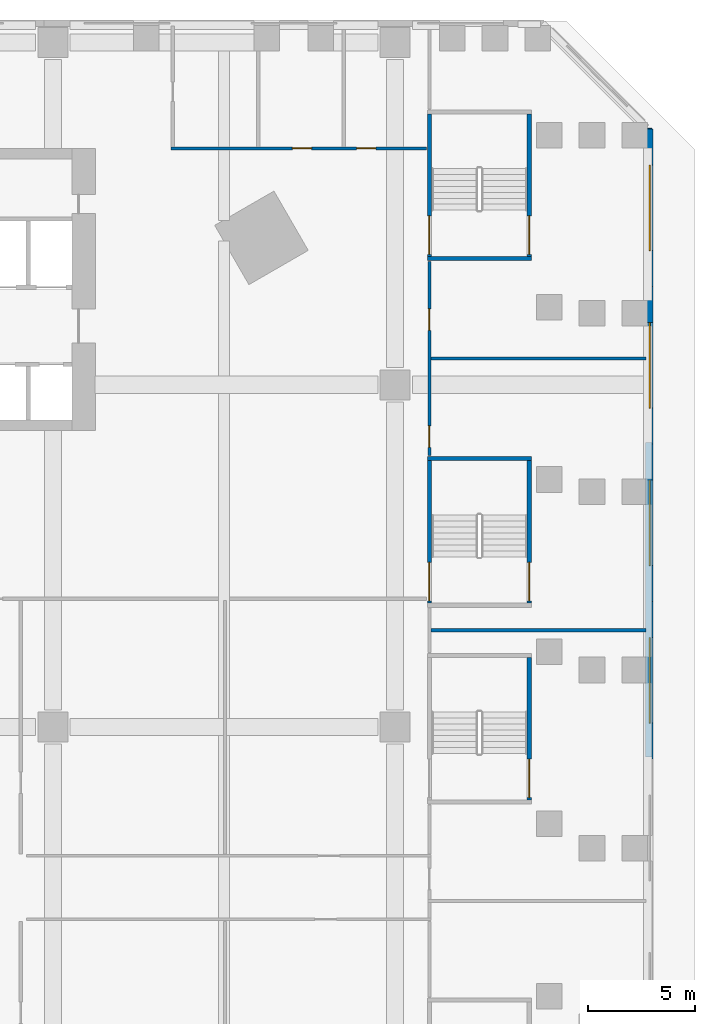
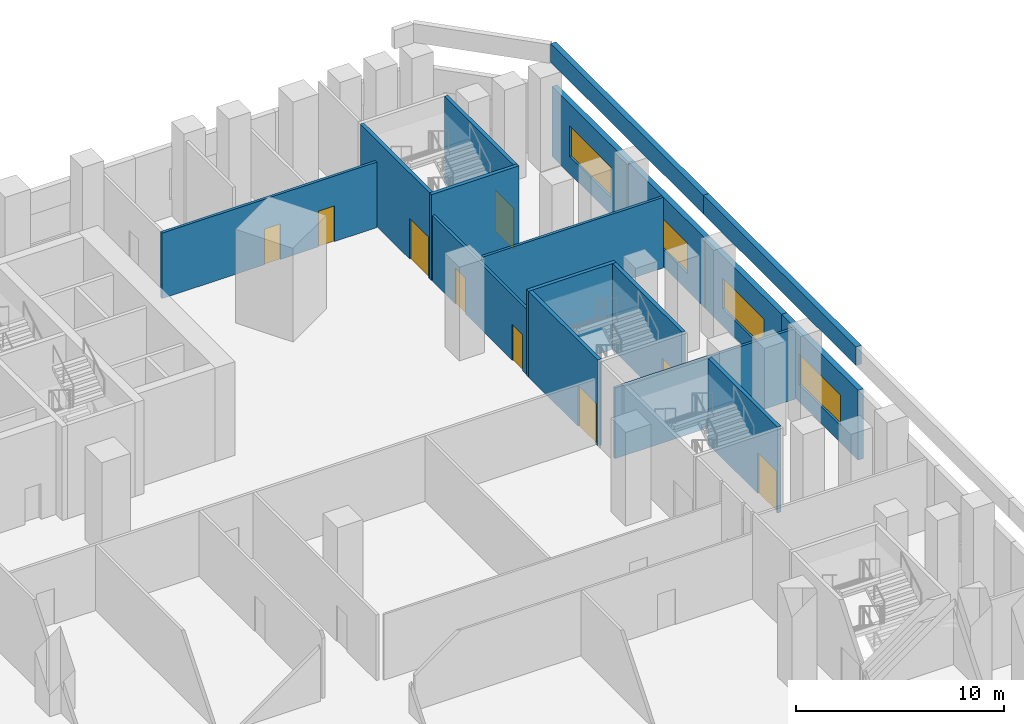
# One storey, part 10 of 22: 17 walls, 9 doors, 4 windows, 13 openings.
"""IFC4 building model written with IfcOpenShell, lengths in metres."""

from ifc_helpers import new_model, si_unit, direction, frame, frame_2d, origin, place, context, subcontext, project, spatial, rectangle, extrude, material, layer, layer_set, type_object, element, fill, save


model = new_model("IFC4")

# Units and contexts
model_context = context("Model", 3, precision=1e-05, world=origin(), true_north=direction((0.0, 1.0)))
body_context = subcontext(model_context, "Body", "Model", "MODEL_VIEW")
ifc_project = project(units=[si_unit("LENGTHUNIT", "METRE"), si_unit("AREAUNIT", "SQUARE_METRE"), si_unit("VOLUMEUNIT", "CUBIC_METRE"), si_unit("PLANEANGLEUNIT", "RADIAN"), si_unit("MASSUNIT", "GRAM", prefix="KILO")], contexts=[model_context])

# Site, building, storey
site_placement = place(None, origin())
site = spatial("IfcSite", under=ifc_project, at=site_placement, CompositionType="ELEMENT")
building_placement = place(site_placement, origin())
building = spatial("IfcBuilding", under=site, at=building_placement, Name="Calabash Gate Tower", CompositionType="ELEMENT")
storey_placement = place(building_placement, frame((0.0, 0.0, 29.0)))
storey = spatial("IfcBuildingStorey", under=building, at=storey_placement, Name="L03", CompositionType="ELEMENT", Elevation=29.0)

# Wall
ifc_material_1 = material(Name="Gypsum board on steel studs, mineral wool", Category="steel")
ifc_layer_1 = layer(ifc_material_1, 0.14990234375)
ifc_layer_set_1 = layer_set([ifc_layer_1], Name="Partition 150 gypsum board")
wall_type_1 = type_object("IfcWallType", Name="Partition 150 gypsum board", PredefinedType="PARTITIONING", material=ifc_layer_set_1)
wall_1_placement = place(storey_placement, frame((33.675048828125, -3.47509765625, 0.0), z_axis=(0.0, 0.0, 1.0), x_axis=(1.0, 0.0, 0.0)))
element("IfcWall", 1, at=wall_1_placement, inside=storey, type_object=wall_type_1, Name="Partition", PredefinedType="PARTITIONING", context=body_context, shape_type="SweptSolid", body=[
    extrude(rectangle(XDim=10.044921875, YDim=0.14990234375, at=frame_2d((5.0224609375, 0.0))), origin(), (0.0, 0.0, 1.0), 4.14990234375),
])

# Wall, openings, doors
wall_2_placement = place(storey_placement, frame((33.60009765625, 4.68994140625, 0.0), z_axis=(0.0, 0.0, 1.0), x_axis=(0.0, 1.0, 0.0)))
wall_2 = element("IfcWall", 2, at=wall_2_placement, inside=storey, type_object=wall_type_1, Name="Partition", PredefinedType="PARTITIONING", context=body_context, shape_type="SweptSolid", body=[
    extrude(rectangle(XDim=9.070068359375, YDim=0.14990234375, at=frame_2d((4.53515625, 0.0))), origin(), (0.0, 0.0, 1.0), 3.85009765625),
])
opening_1_placement = place(wall_2_placement, frame((0.385009765625, 0.0, 0.0)))
opening_1 = element("IfcOpeningElement", 3, at=opening_1_placement, cuts=wall_2, Name="Opening L03-074", PredefinedType="OPENING", context=body_context, shape_type="SweptSolid", body=[
    extrude(rectangle(XDim=1.0, YDim=2.10009765625, at=frame_2d((0.5, 1.050048828125))), frame((0.0, 0.0849609375, 0.0), z_axis=(0.0, -1.0, 0.0), x_axis=(1.0, 0.0, 0.0)), (0.0, 0.0, 1.0), 0.169921875),
])
opening_2_placement = place(wall_2_placement, frame((5.85888671875, 0.0, 0.0)))
opening_2 = element("IfcOpeningElement", 4, at=opening_2_placement, cuts=wall_2, Name="Opening L03-075", PredefinedType="OPENING", context=body_context, shape_type="SweptSolid", body=[
    extrude(rectangle(XDim=1.0, YDim=2.10009765625, at=frame_2d((0.5, 1.050048828125))), frame((0.0, 0.0849609375, 0.0), z_axis=(0.0, -1.0, 0.0), x_axis=(1.0, 0.0, 0.0)), (0.0, 0.0, 1.0), 0.169921875),
])
ifc_material_2 = material(Name="Steel fire door set with fire-resisting glazing", Category="steel")
door_type_1 = type_object("IfcDoorType", Name="Fire door D11 1000x2100 FD60", OperationType="NOTDEFINED", PredefinedType="DOOR", material=ifc_material_2)
door_1_placement = place(opening_1_placement, origin())
door_1 = element("IfcDoor", 5, at=door_1_placement, inside=storey, type_object=door_type_1, Name="Meeting Room 326 door", OperationType="SINGLE_SWING_LEFT", OverallHeight=2.10009765625, OverallWidth=1.0, PredefinedType="DOOR", context=body_context, shape_type="SweptSolid", body=[
    extrude(rectangle(XDim=1.0, YDim=2.10009765625, at=frame_2d((0.5, 1.050048828125))), frame((0.0, 0.02490234375, 0.0), z_axis=(0.0, -1.0, 0.0), x_axis=(1.0, 0.0, 0.0)), (0.0, 0.0, 1.0), 0.050048828125),
])
fill(opening_1, door_1)
door_2_placement = place(opening_2_placement, origin())
door_2 = element("IfcDoor", 6, at=door_2_placement, inside=storey, type_object=door_type_1, Name="Meeting Room 327 door", OperationType="SINGLE_SWING_RIGHT", OverallHeight=2.10009765625, OverallWidth=1.0, PredefinedType="DOOR", context=body_context, shape_type="SweptSolid", body=[
    extrude(rectangle(XDim=1.0, YDim=2.10009765625, at=frame_2d((0.5, 1.050048828125))), frame((0.0, 0.02490234375, 0.0), z_axis=(0.0, -1.0, 0.0), x_axis=(1.0, 0.0, 0.0)), (0.0, 0.0, 1.0), 0.050048828125),
])
fill(opening_2, door_2)

# Wall
wall_3_placement = place(storey_placement, frame((33.675048828125, 9.22509765625, 0.0), z_axis=(0.0, 0.0, 1.0), x_axis=(1.0, 0.0, 0.0)))
element("IfcWall", 7, at=wall_3_placement, inside=storey, type_object=wall_type_1, Name="Partition", PredefinedType="PARTITIONING", context=body_context, shape_type="SweptSolid", body=[
    extrude(rectangle(XDim=10.044921875, YDim=0.14990234375, at=frame_2d((5.0224609375, 0.0))), origin(), (0.0, 0.0, 1.0), 4.14990234375),
])

# Wall, openings, doors
wall_4_placement = place(storey_placement, frame((21.52490234375, 19.050048828125, 0.0), z_axis=(0.0, 0.0, 1.0), x_axis=(1.0, 0.0, 0.0)))
wall_4 = element("IfcWall", 8, at=wall_4_placement, inside=storey, type_object=wall_type_1, Name="Partition", PredefinedType="PARTITIONING", context=body_context, shape_type="SweptSolid", body=[
    extrude(rectangle(XDim=11.93505859375, YDim=0.14990234375, at=frame_2d((5.967529296875, 0.0))), origin(), (0.0, 0.0, 1.0), 3.85009765625),
])
opening_3_placement = place(wall_4_placement, frame((5.675048828125, 0.0, 0.0)))
opening_3 = element("IfcOpeningElement", 9, at=opening_3_placement, cuts=wall_4, Name="Opening L03-042", PredefinedType="OPENING", context=body_context, shape_type="SweptSolid", body=[
    extrude(rectangle(XDim=0.89990234375, YDim=2.10009765625, at=frame_2d((0.449951171875, 1.050048828125))), frame((0.0, 0.0849609375, 0.0), z_axis=(0.0, -1.0, 0.0), x_axis=(1.0, 0.0, 0.0)), (0.0, 0.0, 1.0), 0.169921875),
])
opening_4_placement = place(wall_4_placement, frame((8.675048828125, 0.0, 0.0)))
opening_4 = element("IfcOpeningElement", 10, at=opening_4_placement, cuts=wall_4, Name="Opening L03-043", PredefinedType="OPENING", context=body_context, shape_type="SweptSolid", body=[
    extrude(rectangle(XDim=0.89990234375, YDim=2.10009765625, at=frame_2d((0.449951171875, 1.050048828125))), frame((0.0, 0.0849609375, 0.0), z_axis=(0.0, -1.0, 0.0), x_axis=(1.0, 0.0, 0.0)), (0.0, 0.0, 1.0), 0.169921875),
])
ifc_material_3 = material(Name="Steel fire door set with fire-resisting glazing", Category="steel")
door_type_2 = type_object("IfcDoorType", Name="Fire door D13 900x2100 FD30", OperationType="NOTDEFINED", PredefinedType="DOOR", material=ifc_material_3)
door_3_placement = place(opening_3_placement, origin())
door_3 = element("IfcDoor", 11, at=door_3_placement, inside=storey, type_object=door_type_2, Name="Women's WC door", OperationType="SINGLE_SWING_RIGHT", OverallHeight=2.10009765625, OverallWidth=0.89990234375, PredefinedType="DOOR", context=body_context, shape_type="SweptSolid", body=[
    extrude(rectangle(XDim=0.89990234375, YDim=2.10009765625, at=frame_2d((0.449951171875, 1.050048828125))), frame((0.0, 0.02490234375, 0.0), z_axis=(0.0, -1.0, 0.0), x_axis=(1.0, 0.0, 0.0)), (0.0, 0.0, 1.0), 0.050048828125),
])
fill(opening_3, door_3)
door_4_placement = place(opening_4_placement, origin())
door_4 = element("IfcDoor", 12, at=door_4_placement, inside=storey, type_object=door_type_2, Name="Accessible WC door", OperationType="SINGLE_SWING_RIGHT", OverallHeight=2.10009765625, OverallWidth=0.89990234375, PredefinedType="DOOR", context=body_context, shape_type="SweptSolid", body=[
    extrude(rectangle(XDim=0.89990234375, YDim=2.10009765625, at=frame_2d((0.449951171875, 1.050048828125))), frame((0.0, 0.02490234375, 0.0), z_axis=(0.0, -1.0, 0.0), x_axis=(1.0, 0.0, 0.0)), (0.0, 0.0, 1.0), 0.050048828125),
])
fill(opening_4, door_4)

# Wall, opening, window
ifc_material_4 = material(Name="Terracotta brick masonry, exposed face", Category="masonry")
ifc_layer_2 = layer(ifc_material_4, 0.300048828125)
ifc_layer_set_2 = layer_set([ifc_layer_2], Name="Podium brick wall 300")
wall_type_2 = type_object("IfcWallType", Name="Podium brick wall 300", PredefinedType="SOLIDWALL", material=ifc_layer_set_2)
wall_5_placement = place(storey_placement, frame((43.89990234375, -9.5, 0.0), z_axis=(0.0, 0.0, 1.0), x_axis=(0.0, 1.0, 0.0)))
wall_5 = element("IfcWall", 13, at=wall_5_placement, inside=storey, type_object=wall_type_2, Name="Podium brick wall L03 2.0.4", PredefinedType="SOLIDWALL", context=body_context, shape_type="SweptSolid", body=[
    extrude(rectangle(XDim=7.362548828125, YDim=0.300048828125, at=frame_2d((3.68115234375, 0.0))), origin(), (0.0, 0.0, 1.0), 4.10009765625),
])
opening_5_placement = place(wall_5_placement, frame((1.68115234375, 0.0, 1.0)))
opening_5 = element("IfcOpeningElement", 14, at=opening_5_placement, cuts=wall_5, Name="Opening WM1", PredefinedType="OPENING", context=body_context, shape_type="SweptSolid", body=[
    extrude(rectangle(XDim=4.0, YDim=1.800048828125, at=frame_2d((2.0, 0.89990234375))), frame((0.0, 0.159912109375, 0.0), z_axis=(0.0, -1.0, 0.0), x_axis=(1.0, 0.0, 0.0)), (0.0, 0.0, 1.0), 0.320068359375),
])
ifc_material_5 = material(Name="Anodised aluminium frame, bronze finish, impact-rated laminated clear glazing", Category="aluminium")
window_type = type_object("IfcWindowType", Name="Window WM1 4000x1800", PartitioningType="TRIPLE_PANEL_VERTICAL", PredefinedType="WINDOW", material=ifc_material_5)
window_1_placement = place(opening_5_placement, origin())
window_1 = element("IfcWindow", 15, at=window_1_placement, inside=storey, type_object=window_type, Name="Meeting room window L03 2.0.4", OverallHeight=1.800048828125, OverallWidth=4.0, PartitioningType="SINGLE_PANEL", PredefinedType="WINDOW", context=body_context, shape_type="SweptSolid", body=[
    extrude(rectangle(XDim=4.0, YDim=1.800048828125, at=frame_2d((2.0, 0.89990234375))), frame((0.0, 0.030029296875, 0.0), z_axis=(0.0, -1.0, 0.0), x_axis=(1.0, 0.0, 0.0)), (0.0, 0.0, 1.0), 0.06005859375),
])
fill(opening_5, window_1)

wall_6_placement = place(storey_placement, frame((43.89990234375, -2.137451171875, 0.0), z_axis=(0.0, 0.0, 1.0), x_axis=(0.0, 1.0, 0.0)))
wall_6 = element("IfcWall", 16, at=wall_6_placement, inside=storey, type_object=wall_type_2, Name="Podium brick wall L03 2.0.5", PredefinedType="SOLIDWALL", context=body_context, shape_type="SweptSolid", body=[
    extrude(rectangle(XDim=7.362548828125, YDim=0.300048828125, at=frame_2d((3.68115234375, 0.0))), origin(), (0.0, 0.0, 1.0), 4.10009765625),
])
opening_6_placement = place(wall_6_placement, frame((1.68115234375, 0.0, 1.0)))
opening_6 = element("IfcOpeningElement", 17, at=opening_6_placement, cuts=wall_6, Name="Opening WM1", PredefinedType="OPENING", context=body_context, shape_type="SweptSolid", body=[
    extrude(rectangle(XDim=4.0, YDim=1.800048828125, at=frame_2d((2.0, 0.89990234375))), frame((0.0, 0.159912109375, 0.0), z_axis=(0.0, -1.0, 0.0), x_axis=(1.0, 0.0, 0.0)), (0.0, 0.0, 1.0), 0.320068359375),
])
window_2_placement = place(opening_6_placement, origin())
window_2 = element("IfcWindow", 18, at=window_2_placement, inside=storey, type_object=window_type, Name="Meeting room window L03 2.0.5", OverallHeight=1.800048828125, OverallWidth=4.0, PartitioningType="SINGLE_PANEL", PredefinedType="WINDOW", context=body_context, shape_type="SweptSolid", body=[
    extrude(rectangle(XDim=4.0, YDim=1.800048828125, at=frame_2d((2.0, 0.89990234375))), frame((0.0, 0.030029296875, 0.0), z_axis=(0.0, -1.0, 0.0), x_axis=(1.0, 0.0, 0.0)), (0.0, 0.0, 1.0), 0.06005859375),
])
fill(opening_6, window_2)

wall_7_placement = place(storey_placement, frame((43.89990234375, 5.22509765625, 0.0), z_axis=(0.0, 0.0, 1.0), x_axis=(0.0, 1.0, 0.0)))
wall_7 = element("IfcWall", 19, at=wall_7_placement, inside=storey, type_object=wall_type_2, Name="Podium brick wall L03 2.0.6", PredefinedType="SOLIDWALL", context=body_context, shape_type="SweptSolid", body=[
    extrude(rectangle(XDim=7.3623046875, YDim=0.300048828125, at=frame_2d((3.68115234375, 0.0))), origin(), (0.0, 0.0, 1.0), 4.10009765625),
])
opening_7_placement = place(wall_7_placement, frame((1.68115234375, 0.0, 1.0)))
opening_7 = element("IfcOpeningElement", 20, at=opening_7_placement, cuts=wall_7, Name="Opening WM1", PredefinedType="OPENING", context=body_context, shape_type="SweptSolid", body=[
    extrude(rectangle(XDim=4.0, YDim=1.800048828125, at=frame_2d((2.0, 0.89990234375))), frame((0.0, 0.159912109375, 0.0), z_axis=(0.0, -1.0, 0.0), x_axis=(1.0, 0.0, 0.0)), (0.0, 0.0, 1.0), 0.320068359375),
])
window_3_placement = place(opening_7_placement, origin())
window_3 = element("IfcWindow", 21, at=window_3_placement, inside=storey, type_object=window_type, Name="Meeting room window L03 2.0.6", OverallHeight=1.800048828125, OverallWidth=4.0, PartitioningType="SINGLE_PANEL", PredefinedType="WINDOW", context=body_context, shape_type="SweptSolid", body=[
    extrude(rectangle(XDim=4.0, YDim=1.800048828125, at=frame_2d((2.0, 0.89990234375))), frame((0.0, 0.030029296875, 0.0), z_axis=(0.0, -1.0, 0.0), x_axis=(1.0, 0.0, 0.0)), (0.0, 0.0, 1.0), 0.06005859375),
])
fill(opening_7, window_3)

wall_8_placement = place(storey_placement, frame((43.89990234375, 12.58740234375, 0.0), z_axis=(0.0, 0.0, 1.0), x_axis=(0.0, 1.0, 0.0)))
wall_8 = element("IfcWall", 22, at=wall_8_placement, inside=storey, type_object=wall_type_2, Name="Podium brick wall L03 2.0.7", PredefinedType="SOLIDWALL", context=body_context, shape_type="SweptSolid", body=[
    extrude(rectangle(XDim=7.362548828125, YDim=0.300048828125, at=frame_2d((3.68115234375, 0.0))), origin(), (0.0, 0.0, 1.0), 4.10009765625),
])
opening_8_placement = place(wall_8_placement, frame((1.68115234375, 0.0, 1.0)))
opening_8 = element("IfcOpeningElement", 23, at=opening_8_placement, cuts=wall_8, Name="Opening WM1", PredefinedType="OPENING", context=body_context, shape_type="SweptSolid", body=[
    extrude(rectangle(XDim=4.0, YDim=1.800048828125, at=frame_2d((2.0, 0.89990234375))), frame((0.0, 0.159912109375, 0.0), z_axis=(0.0, -1.0, 0.0), x_axis=(1.0, 0.0, 0.0)), (0.0, 0.0, 1.0), 0.320068359375),
])
window_4_placement = place(opening_8_placement, origin())
window_4 = element("IfcWindow", 24, at=window_4_placement, inside=storey, type_object=window_type, Name="Meeting room window L03 2.0.7", OverallHeight=1.800048828125, OverallWidth=4.0, PartitioningType="SINGLE_PANEL", PredefinedType="WINDOW", context=body_context, shape_type="SweptSolid", body=[
    extrude(rectangle(XDim=4.0, YDim=1.800048828125, at=frame_2d((2.0, 0.89990234375))), frame((0.0, 0.030029296875, 0.0), z_axis=(0.0, -1.0, 0.0), x_axis=(1.0, 0.0, 0.0)), (0.0, 0.0, 1.0), 0.06005859375),
])
fill(opening_8, window_4)

# Walls
ifc_material_6 = material(Name="Terracotta brick masonry, exposed face", Category="masonry")
ifc_layer_3 = layer(ifc_material_6, 0.300048828125)
ifc_layer_set_3 = layer_set([ifc_layer_3], Name="Podium parapet wall 300")
wall_type_3 = type_object("IfcWallType", Name="Podium parapet wall 300", PredefinedType="PARAPET", material=ifc_layer_set_3)
for number, where, z_axis, x_axis, name in (
    (25, (43.85009765625, -9.39501953125, 5.5), (0.0, 0.0, 1.0), (0.0, 1.0, 0.0), "Podium parapet L03 2.0.2"),
    (26, (43.85009765625, 5.302490234375, 5.5), (0.0, 0.0, 1.0), (0.0, 1.0, 0.0), "Podium parapet L03 2.0.3"),
):
    element("IfcWall", number, at=place(storey_placement, frame(where, z_axis=z_axis, x_axis=x_axis)), inside=storey, type_object=wall_type_3, Name=name, PredefinedType="PARAPET", context=body_context, shape_type="SweptSolid", body=[
        extrude(rectangle(XDim=14.697509765625, YDim=0.300048828125, at=frame_2d((7.3486328125, 0.0))), origin(), (0.0, 0.0, 1.0), 1.10009765625),
    ])

# Wall, opening, door
ifc_material_7 = material(Name="Concrete C40/50", Category="concrete")
ifc_layer_4 = layer(ifc_material_7, 0.199951171875)
ifc_layer_set_4 = layer_set([ifc_layer_4], Name="Stair wall 200 Concrete C40/50")
wall_type_4 = type_object("IfcWallType", Name="Stair wall 200 Concrete C40/50", PredefinedType="SOLIDWALL", material=ifc_layer_set_4)
wall_9_placement = place(storey_placement, frame((38.27001953125, -11.39990234375, 0.0), z_axis=(0.0, 0.0, 1.0), x_axis=(0.0, 1.0, 0.0)))
wall_9 = element("IfcWall", 27, at=wall_9_placement, inside=storey, type_object=wall_type_4, Name="Stair wall", PredefinedType="SOLIDWALL", context=body_context, shape_type="SweptSolid", body=[
    extrude(rectangle(XDim=6.64990234375, YDim=0.199951171875, at=frame_2d((3.324951171875, 0.0))), origin(), (0.0, 0.0, 1.0), 5.050048828125),
])
opening_9_placement = place(wall_9_placement, frame((0.10009765625, 0.0, 0.0)))
opening_9 = element("IfcOpeningElement", 28, at=opening_9_placement, cuts=wall_9, Name="Opening L03-033", PredefinedType="OPENING", context=body_context, shape_type="SweptSolid", body=[
    extrude(rectangle(XDim=1.800048828125, YDim=2.39990234375, at=frame_2d((0.89990234375, 1.199951171875))), frame((0.0, 0.10986328125, 0.0), z_axis=(0.0, -1.0, 0.0), x_axis=(1.0, 0.0, 0.0)), (0.0, 0.0, 1.0), 0.219970703125),
])
ifc_material_8 = material(Name="Steel fire door set with fire-resisting glazing", Category="steel")
door_type_3 = type_object("IfcDoorType", Name="Double fire door D16 1800x2400 FD90", OperationType="DOUBLE_DOOR_SINGLE_SWING", PredefinedType="DOOR", material=ifc_material_8)
door_5_placement = place(opening_9_placement, origin())
door_5 = element("IfcDoor", 29, at=door_5_placement, inside=storey, type_object=door_type_3, Name="Exit stair door PS8", OperationType="DOUBLE_DOOR_SINGLE_SWING", OverallHeight=2.39990234375, OverallWidth=1.800048828125, PredefinedType="DOOR", context=body_context, shape_type="SweptSolid", body=[
    extrude(rectangle(XDim=1.800048828125, YDim=2.39990234375, at=frame_2d((0.89990234375, 1.199951171875))), frame((0.0, 0.02490234375, 0.0), z_axis=(0.0, -1.0, 0.0), x_axis=(1.0, 0.0, 0.0)), (0.0, 0.0, 1.0), 0.050048828125),
])
fill(opening_9, door_5)

# Wall
wall_10_placement = place(storey_placement, frame((33.5, 4.550048828125, 0.0), z_axis=(0.0, 0.0, 1.0), x_axis=(1.0, 0.0, 0.0)))
element("IfcWall", 30, at=wall_10_placement, inside=storey, type_object=wall_type_4, Name="Stair wall", PredefinedType="SOLIDWALL", context=body_context, shape_type="SweptSolid", body=[
    extrude(rectangle(XDim=4.8701171875, YDim=0.199951171875, at=frame_2d((2.43505859375, 0.0))), origin(), (0.0, 0.0, 1.0), 5.050048828125),
])

# Wall, opening, door
wall_11_placement = place(storey_placement, frame((33.60009765625, -2.199951171875, 0.0), z_axis=(0.0, 0.0, 1.0), x_axis=(0.0, 1.0, 0.0)))
wall_11 = element("IfcWall", 31, at=wall_11_placement, inside=storey, type_object=wall_type_4, Name="Stair wall", PredefinedType="SOLIDWALL", context=body_context, shape_type="SweptSolid", body=[
    extrude(rectangle(XDim=6.64990234375, YDim=0.199951171875, at=frame_2d((3.324951171875, 0.0))), origin(), (0.0, 0.0, 1.0), 5.050048828125),
])
opening_10_placement = place(wall_11_placement, frame((0.10009765625, 0.0, 0.0)))
opening_10 = element("IfcOpeningElement", 32, at=opening_10_placement, cuts=wall_11, Name="Opening L03-034", PredefinedType="OPENING", context=body_context, shape_type="SweptSolid", body=[
    extrude(rectangle(XDim=1.800048828125, YDim=2.39990234375, at=frame_2d((0.89990234375, 1.199951171875))), frame((0.0, 0.10986328125, 0.0), z_axis=(0.0, -1.0, 0.0), x_axis=(1.0, 0.0, 0.0)), (0.0, 0.0, 1.0), 0.219970703125),
])
door_6_placement = place(opening_10_placement, origin())
door_6 = element("IfcDoor", 33, at=door_6_placement, inside=storey, type_object=door_type_3, Name="Exit stair door PS9", OperationType="DOUBLE_DOOR_SINGLE_SWING", OverallHeight=2.39990234375, OverallWidth=1.800048828125, PredefinedType="DOOR", context=body_context, shape_type="SweptSolid", body=[
    extrude(rectangle(XDim=1.800048828125, YDim=2.39990234375, at=frame_2d((0.89990234375, 1.199951171875))), frame((0.0, 0.02490234375, 0.0), z_axis=(0.0, -1.0, 0.0), x_axis=(1.0, 0.0, 0.0)), (0.0, 0.0, 1.0), 0.050048828125),
])
fill(opening_10, door_6)

wall_12_placement = place(storey_placement, frame((38.27001953125, -2.199951171875, 0.0), z_axis=(0.0, 0.0, 1.0), x_axis=(0.0, 1.0, 0.0)))
wall_12 = element("IfcWall", 34, at=wall_12_placement, inside=storey, type_object=wall_type_4, Name="Stair wall", PredefinedType="SOLIDWALL", context=body_context, shape_type="SweptSolid", body=[
    extrude(rectangle(XDim=6.64990234375, YDim=0.199951171875, at=frame_2d((3.324951171875, 0.0))), origin(), (0.0, 0.0, 1.0), 5.050048828125),
])
opening_11_placement = place(wall_12_placement, frame((0.10009765625, 0.0, 0.0)))
opening_11 = element("IfcOpeningElement", 35, at=opening_11_placement, cuts=wall_12, Name="Opening L03-035", PredefinedType="OPENING", context=body_context, shape_type="SweptSolid", body=[
    extrude(rectangle(XDim=1.800048828125, YDim=2.39990234375, at=frame_2d((0.89990234375, 1.199951171875))), frame((0.0, 0.10986328125, 0.0), z_axis=(0.0, -1.0, 0.0), x_axis=(1.0, 0.0, 0.0)), (0.0, 0.0, 1.0), 0.219970703125),
])
door_7_placement = place(opening_11_placement, origin())
door_7 = element("IfcDoor", 36, at=door_7_placement, inside=storey, type_object=door_type_3, Name="Exit stair door PS9", OperationType="DOUBLE_DOOR_SINGLE_SWING", OverallHeight=2.39990234375, OverallWidth=1.800048828125, PredefinedType="DOOR", context=body_context, shape_type="SweptSolid", body=[
    extrude(rectangle(XDim=1.800048828125, YDim=2.39990234375, at=frame_2d((0.89990234375, 1.199951171875))), frame((0.0, 0.02490234375, 0.0), z_axis=(0.0, -1.0, 0.0), x_axis=(1.0, 0.0, 0.0)), (0.0, 0.0, 1.0), 0.050048828125),
])
fill(opening_11, door_7)

# Wall
wall_13_placement = place(storey_placement, frame((33.5, 13.89990234375, 0.0), z_axis=(0.0, 0.0, 1.0), x_axis=(1.0, 0.0, 0.0)))
element("IfcWall", 37, at=wall_13_placement, inside=storey, type_object=wall_type_4, Name="Stair wall", PredefinedType="SOLIDWALL", context=body_context, shape_type="SweptSolid", body=[
    extrude(rectangle(XDim=4.8701171875, YDim=0.199951171875, at=frame_2d((2.43505859375, 0.0))), origin(), (0.0, 0.0, 1.0), 5.050048828125),
])

# Wall, opening, door
wall_14_placement = place(storey_placement, frame((33.60009765625, 14.0, 0.0), z_axis=(0.0, 0.0, 1.0), x_axis=(0.0, 1.0, 0.0)))
wall_14 = element("IfcWall", 38, at=wall_14_placement, inside=storey, type_object=wall_type_4, Name="Stair wall", PredefinedType="SOLIDWALL", context=body_context, shape_type="SweptSolid", body=[
    extrude(rectangle(XDim=6.64990234375, YDim=0.199951171875, at=frame_2d((3.324951171875, 0.0))), origin(), (0.0, 0.0, 1.0), 5.050048828125),
])
opening_12_placement = place(wall_14_placement, frame((0.10009765625, 0.0, 0.0)))
opening_12 = element("IfcOpeningElement", 39, at=opening_12_placement, cuts=wall_14, Name="Opening L03-036", PredefinedType="OPENING", context=body_context, shape_type="SweptSolid", body=[
    extrude(rectangle(XDim=1.800048828125, YDim=2.39990234375, at=frame_2d((0.89990234375, 1.199951171875))), frame((0.0, 0.10986328125, 0.0), z_axis=(0.0, -1.0, 0.0), x_axis=(1.0, 0.0, 0.0)), (0.0, 0.0, 1.0), 0.219970703125),
])
door_8_placement = place(opening_12_placement, origin())
door_8 = element("IfcDoor", 40, at=door_8_placement, inside=storey, type_object=door_type_3, Name="Exit stair door PS10", OperationType="DOUBLE_DOOR_SINGLE_SWING", OverallHeight=2.39990234375, OverallWidth=1.800048828125, PredefinedType="DOOR", context=body_context, shape_type="SweptSolid", body=[
    extrude(rectangle(XDim=1.800048828125, YDim=2.39990234375, at=frame_2d((0.89990234375, 1.199951171875))), frame((0.0, 0.02490234375, 0.0), z_axis=(0.0, -1.0, 0.0), x_axis=(1.0, 0.0, 0.0)), (0.0, 0.0, 1.0), 0.050048828125),
])
fill(opening_12, door_8)

wall_15_placement = place(storey_placement, frame((38.27001953125, 14.0, 0.0), z_axis=(0.0, 0.0, 1.0), x_axis=(0.0, 1.0, 0.0)))
wall_15 = element("IfcWall", 41, at=wall_15_placement, inside=storey, type_object=wall_type_4, Name="Stair wall", PredefinedType="SOLIDWALL", context=body_context, shape_type="SweptSolid", body=[
    extrude(rectangle(XDim=6.64990234375, YDim=0.199951171875, at=frame_2d((3.324951171875, 0.0))), origin(), (0.0, 0.0, 1.0), 5.050048828125),
])
opening_13_placement = place(wall_15_placement, frame((0.10009765625, 0.0, 0.0)))
opening_13 = element("IfcOpeningElement", 42, at=opening_13_placement, cuts=wall_15, Name="Opening L03-037", PredefinedType="OPENING", context=body_context, shape_type="SweptSolid", body=[
    extrude(rectangle(XDim=1.800048828125, YDim=2.39990234375, at=frame_2d((0.89990234375, 1.199951171875))), frame((0.0, 0.10986328125, 0.0), z_axis=(0.0, -1.0, 0.0), x_axis=(1.0, 0.0, 0.0)), (0.0, 0.0, 1.0), 0.219970703125),
])
door_9_placement = place(opening_13_placement, origin())
door_9 = element("IfcDoor", 43, at=door_9_placement, inside=storey, type_object=door_type_3, Name="Exit stair door PS10", OperationType="DOUBLE_DOOR_SINGLE_SWING", OverallHeight=2.39990234375, OverallWidth=1.800048828125, PredefinedType="DOOR", context=body_context, shape_type="SweptSolid", body=[
    extrude(rectangle(XDim=1.800048828125, YDim=2.39990234375, at=frame_2d((0.89990234375, 1.199951171875))), frame((0.0, 0.02490234375, 0.0), z_axis=(0.0, -1.0, 0.0), x_axis=(1.0, 0.0, 0.0)), (0.0, 0.0, 1.0), 0.050048828125),
])
fill(opening_13, door_9)

save(model, "model.ifc")
